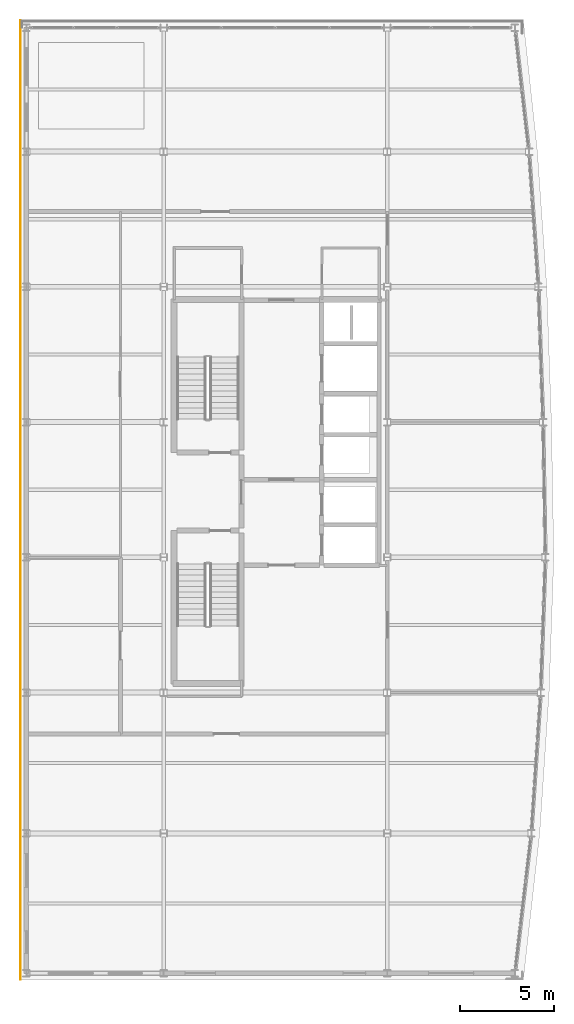
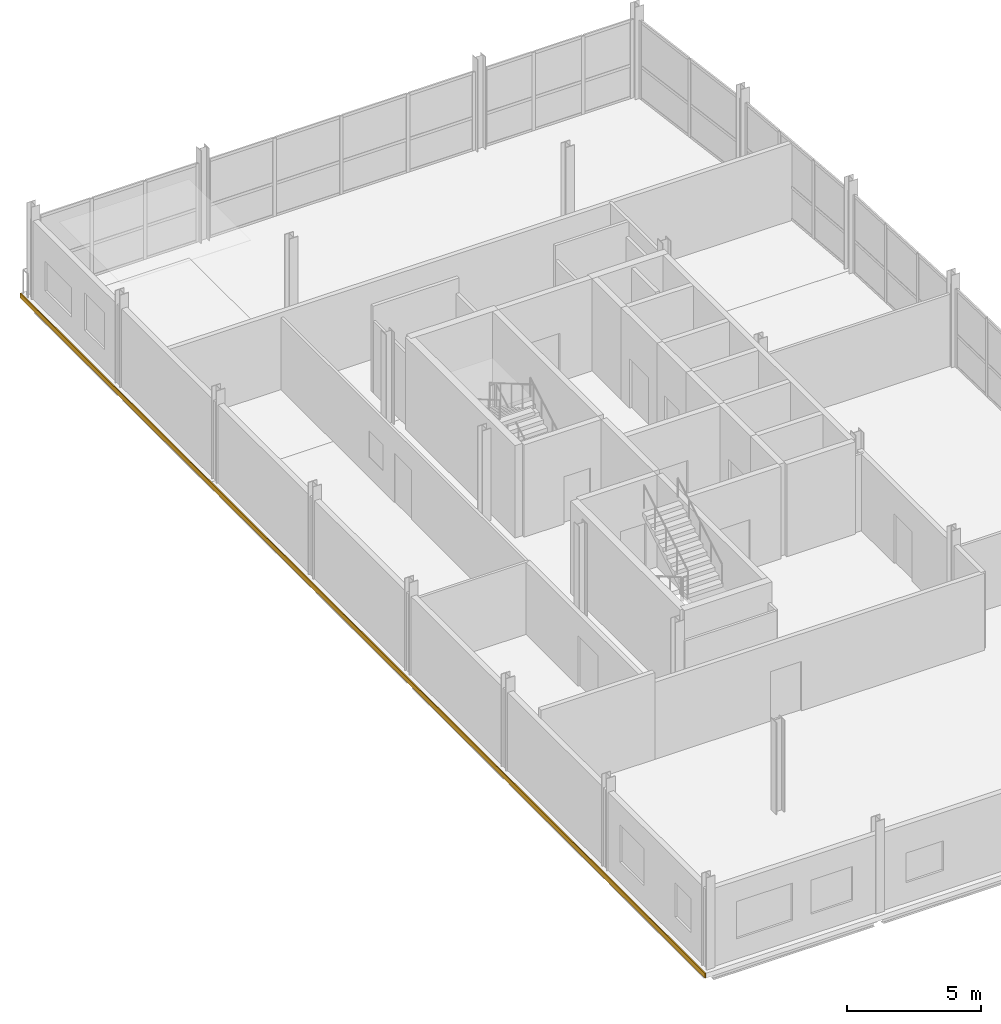
# One storey, part 19 of 20: 1 covering.
"""IFC4 building model written with IfcOpenShell, lengths in metres."""

import ifcopenshell
import ifcopenshell.guid

model = None  # the IFC model being written
_history = None  # IfcOwnerHistory: only IFC2X3 demands one
_inside = {}  # id of a spatial element -> (the spatial element, [elements in it])
_under = {}  # id of a project, library or spatial element -> (it, [spatial elements below it])
_declared = {}  # id of a project -> (the project, [libraries it declares])
_typed = {}  # id of a type object -> (the type object, [elements of that type])
_made_of = {}  # id of a material, layer set ... -> (it, [elements and type objects made of it])


def new_model(schema):
    """Start an empty IFC model of exactly this schema.

    Asked for "IFC4X3", IfcOpenShell would pick the latest addendum, in which some entities
    have other attributes; the version numbers below select the first issue.
    IFC2X3 requires an IfcOwnerHistory on every rooted entity: one is made here for all.
    """
    global model, _history
    if schema == "IFC4X3":
        model = ifcopenshell.file(schema_version=(4, 3, 0, 0))
    else:
        model = ifcopenshell.file(schema=schema)
    _inside.clear()
    _under.clear()
    _declared.clear()
    _typed.clear()
    _made_of.clear()
    _history = None
    if model.schema == "IFC2X3":
        org = make("IfcOrganization", Name="unknown")
        user = make(
            "IfcPersonAndOrganization",
            ThePerson=make("IfcPerson", FamilyName="unknown"),
            TheOrganization=org,
        )
        app = make(
            "IfcApplication",
            ApplicationDeveloper=org,
            Version="unknown",
            ApplicationFullName="unknown",
            ApplicationIdentifier="unknown",
        )
        _history = make(
            "IfcOwnerHistory",
            OwningUser=user,
            OwningApplication=app,
            ChangeAction="ADDED",
            CreationDate=0,
        )
    return model


def make(cls, **values):
    """One entity of the class cls with the attributes given. An attribute that is None is left unset."""
    return model.create_entity(
        cls, **{name: value for name, value in values.items() if value is not None}
    )


def rooted(cls, **values):
    """An entity with a GlobalId (a new one), such as an element, a storey or a relation."""
    return make(cls, GlobalId=ifcopenshell.guid.new(), OwnerHistory=_history, **values)


def si_unit(unit_type, name, prefix=None):
    """IfcSIUnit, for example si_unit("LENGTHUNIT", "METRE", prefix="MILLI")."""
    return make("IfcSIUnit", UnitType=unit_type, Prefix=prefix, Name=name)


def assignment(units):
    """IfcUnitAssignment: the units of a project."""
    return None if units is None else make("IfcUnitAssignment", Units=units)


def point(xyz):
    """IfcCartesianPoint."""
    return None if xyz is None else make("IfcCartesianPoint", Coordinates=xyz)


def direction(xyz):
    """IfcDirection."""
    return None if xyz is None else make("IfcDirection", DirectionRatios=xyz)


def frame(location, z_axis=None, x_axis=None):
    """IfcAxis2Placement3D, a coordinate frame: its origin and axes. An axis left out is left unset."""
    return make(
        "IfcAxis2Placement3D",
        Location=point(location),
        Axis=direction(z_axis),
        RefDirection=direction(x_axis),
    )


def origin():
    """The frame at (0, 0, 0) with its axes left unset."""
    return frame((0.0, 0.0, 0.0))


def place(relative_to, where):
    """IfcLocalPlacement: puts the frame where relative to a parent placement (None: the world)."""
    return make(
        "IfcLocalPlacement", PlacementRelTo=relative_to, RelativePlacement=where
    )


def context(
    kind, dimensions, precision=None, world=None, true_north=None, identifier=None
):
    """IfcGeometricRepresentationContext, for example the 3D "Model" context."""
    return make(
        "IfcGeometricRepresentationContext",
        ContextIdentifier=identifier,
        ContextType=kind,
        CoordinateSpaceDimension=dimensions,
        Precision=precision,
        WorldCoordinateSystem=world,
        TrueNorth=true_north,
    )


def subcontext(parent, identifier, kind, view, scale=None):
    """IfcGeometricRepresentationSubContext, for example "Body" below "Model"."""
    return make(
        "IfcGeometricRepresentationSubContext",
        ContextIdentifier=identifier,
        ContextType=kind,
        ParentContext=parent,
        TargetScale=scale,
        TargetView=view,
    )


def project(units=None, contexts=None):
    """IfcProject with its units and contexts."""
    return rooted(
        "IfcProject",
        Name="project",
        RepresentationContexts=contexts,
        UnitsInContext=assignment(units),
    )


def spatial(cls, under=None, at=None, **own):
    """A site, building, storey or space (cls), placed at a placement, below another one or the project."""
    s = rooted(cls, ObjectPlacement=at, **own)
    if under is not None:
        _under.setdefault(under.id(), (under, []))[1].append(s)
    return s


def polyline(points):
    """IfcPolyline through the points."""
    return make("IfcPolyline", Points=[point(p) for p in points])


def outline(outer, holes=None, kind="AREA"):
    """IfcArbitraryClosedProfileDef: a profile drawn as a closed curve; with holes, ...WithVoids."""
    if holes is None:
        return make("IfcArbitraryClosedProfileDef", ProfileType=kind, OuterCurve=outer)
    return make(
        "IfcArbitraryProfileDefWithVoids",
        ProfileType=kind,
        OuterCurve=outer,
        InnerCurves=holes,
    )


def extrude(swept, where, along, depth):
    """IfcExtrudedAreaSolid: the profile swept, set in the frame where, extruded along a direction by depth."""
    return make(
        "IfcExtrudedAreaSolid",
        SweptArea=swept,
        Position=where,
        ExtrudedDirection=direction(along),
        Depth=depth,
    )


def shape(context_of_items, identifier, shape_type, items):
    """IfcShapeRepresentation: the items that make up one representation, for example the "Body"."""
    return make(
        "IfcShapeRepresentation",
        ContextOfItems=context_of_items,
        RepresentationIdentifier=identifier,
        RepresentationType=shape_type,
        Items=items,
    )


def material(Name=None, Category=None):
    """IfcMaterial."""
    return make("IfcMaterial", Name=Name, Category=Category)


def layer(
    of_material, thickness, ventilated=None, Name=None, Category=None, Priority=None
):
    """IfcMaterialLayer: one layer of a wall or slab, of a material (None: an air gap)."""
    return make(
        "IfcMaterialLayer",
        Material=of_material,
        LayerThickness=thickness,
        IsVentilated=ventilated,
        Name=Name,
        Category=Category,
        Priority=Priority,
    )


def layer_set(layers, Name=None):
    """IfcMaterialLayerSet."""
    return make("IfcMaterialLayerSet", MaterialLayers=layers, LayerSetName=Name)


def made_of(thing, what):
    """Note that an element or type object is made of a material, layer set ...; save() writes the relation."""
    if what is not None:
        _made_of.setdefault(what.id(), (what, []))[1].append(thing)
    return thing


def type_object(cls, material=None, **own):
    """A type object (cls), such as IfcWallType, which elements share."""
    return made_of(rooted(cls, **own), material)


def element(
    cls,
    number,
    at=None,
    inside=None,
    cuts=None,
    type_object=None,
    material=None,
    context=None,
    identifier="Body",
    shape_type=None,
    held_by="IfcProductDefinitionShape",
    body=None,
    shapes=None,
    **own,
):
    """One element of the class cls, such as IfcWall. Its Tag is "e" and its number.

    at: its placement. inside: the storey or other place that contains it. cuts: it is an
    opening in that element (IfcRelVoidsElement). A single representation is given by context,
    identifier, shape_type and body (its items); several are given by shapes. held_by: the class
    of the entity that holds the representations. save() writes the other relations.
    """
    e = rooted(cls, Tag="e%d" % number, ObjectPlacement=at, **own)
    if body is not None:
        shapes = [shape(context, identifier, shape_type, body)]
    if shapes is not None:
        e.Representation = make(held_by, Representations=shapes)
    if inside is not None:
        _inside.setdefault(inside.id(), (inside, []))[1].append(e)
    if cuts is not None:
        rooted(
            "IfcRelVoidsElement", RelatingBuildingElement=cuts, RelatedOpeningElement=e
        )
    if type_object is not None:
        _typed.setdefault(type_object.id(), (type_object, []))[1].append(e)
    return made_of(e, material)


def aggregate(whole, parts):
    """IfcRelAggregates: a whole, such as a stair, and the parts it consists of."""
    return rooted("IfcRelAggregates", RelatingObject=whole, RelatedObjects=parts)


def save(model, path):
    """Write the relations noted so far, then the file.

    IfcRelAggregates (storeys below a building ...), IfcRelContainedInSpatialStructure (elements
    in a storey), IfcRelDefinesByType, IfcRelAssociatesMaterial and IfcRelDeclares: one each for
    every whole, place, type object, material and project.
    """
    for whole, parts in _under.values():
        aggregate(whole, parts)
    for where, things in _inside.values():
        rooted(
            "IfcRelContainedInSpatialStructure",
            RelatedElements=things,
            RelatingStructure=where,
        )
    for kind, things in _typed.values():
        rooted("IfcRelDefinesByType", RelatedObjects=things, RelatingType=kind)
    for what, things in _made_of.values():
        rooted("IfcRelAssociatesMaterial", RelatedObjects=things, RelatingMaterial=what)
    for by, libraries in _declared.values():
        rooted("IfcRelDeclares", RelatingContext=by, RelatedDefinitions=libraries)
    model.write(path)


model = new_model("IFC4")

# Units and contexts
model_context = context("Model", 3, precision=1e-05, world=origin(), true_north=direction((0.0, 1.0)))
body_context = subcontext(model_context, "Body", "Model", "MODEL_VIEW")
ifc_project = project(units=[si_unit("LENGTHUNIT", "METRE"), si_unit("AREAUNIT", "SQUARE_METRE"), si_unit("VOLUMEUNIT", "CUBIC_METRE"), si_unit("PLANEANGLEUNIT", "RADIAN"), si_unit("MASSUNIT", "GRAM", prefix="KILO")], contexts=[model_context])

# Site, building, storey
site_placement = place(None, origin())
site = spatial("IfcSite", under=ifc_project, at=site_placement, CompositionType="ELEMENT")
building_placement = place(site_placement, origin())
building = spatial("IfcBuilding", under=site, at=building_placement, Name="Quillay Park Conservatory", CompositionType="ELEMENT")
storey_placement = place(building_placement, frame((0.0, 0.0, 26.699951171875)))
storey = spatial("IfcBuildingStorey", under=building, at=storey_placement, Name="L06", CompositionType="ELEMENT", Elevation=26.699951171875)

# Covering
ifc_material = material(Name="Glass-Fibre Reinforced Concrete (GRC) Cladding", Category="concrete")
ifc_layer = layer(ifc_material, 0.044921875)
ifc_layer_set = layer_set([ifc_layer], Name="GRC SPANDREL CLADDING 45 (Glass-Fibre Reinforced Concrete (GRC) Cladding)")
covering_type = type_object("IfcCoveringType", Name="GRC SPANDREL CLADDING 45", PredefinedType="CLADDING", material=ifc_layer_set)
covering_placement = place(storey_placement, frame((0.0, 0.0, -0.219970703125)))
element("IfcCovering", 1, at=covering_placement, inside=storey, type_object=covering_type, Name="L06 West Folded GRC Spandrel Ribbon", PredefinedType="CLADDING", context=body_context, shape_type="SweptSolid", body=[
    extrude(outline(polyline([(0.205078125, 62.699951171875), (0.25, 62.699951171875), (0.25, 113.800048828125), (0.205078125, 113.800048828125), (0.205078125, 62.699951171875)])), origin(), (0.0, 0.0, 1.0), 0.219970703125),
])

save(model, "model.ifc")
